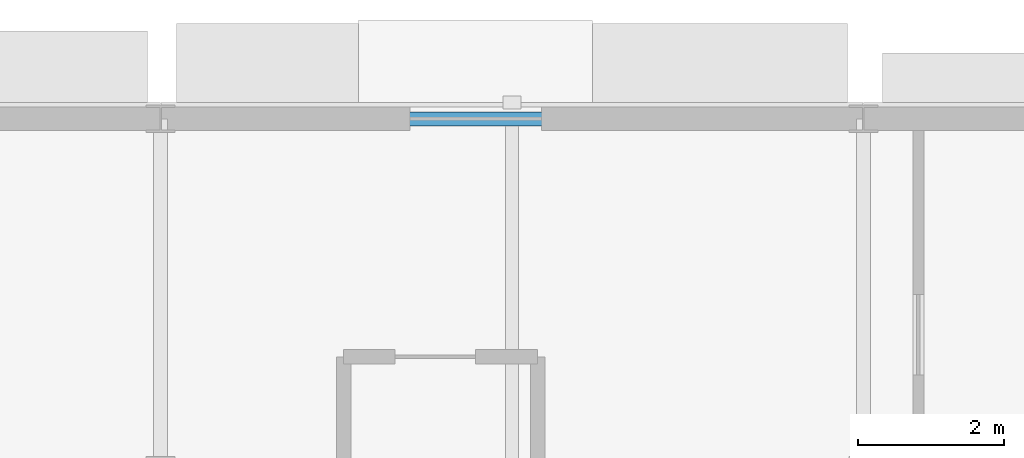
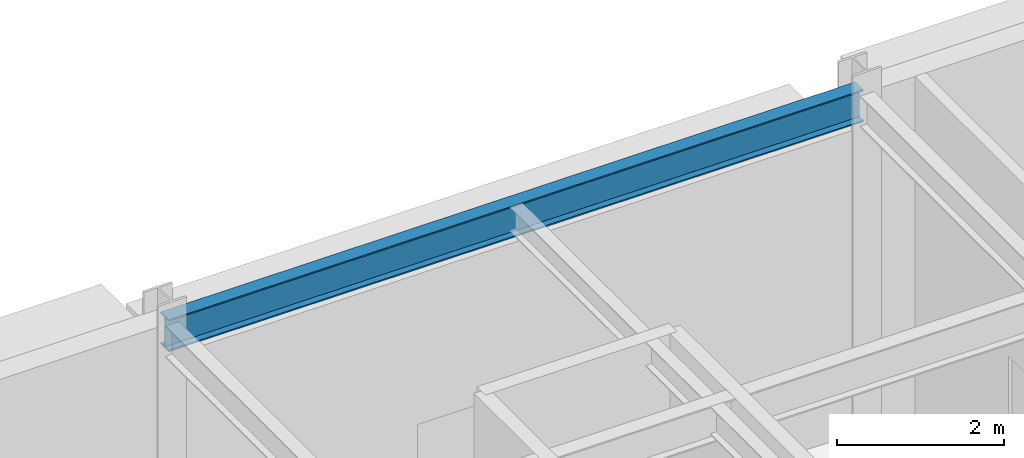
# One storey, part 77 of 168: 1 beam.
"""IFC4 building model written with IfcOpenShell, lengths in metres."""

from ifc_helpers import new_model, si_unit, direction, frame, origin, origin_2d, place, context, subcontext, project, spatial, i_section, extrude, material, material_profile, profile_set, type_object, element, save


model = new_model("IFC4")

# Units and contexts
model_context = context("Model", 3, precision=1e-05, world=origin(), true_north=direction((0.0, 1.0)))
body_context = subcontext(model_context, "Body", "Model", "MODEL_VIEW")
ifc_project = project(units=[si_unit("LENGTHUNIT", "METRE"), si_unit("AREAUNIT", "SQUARE_METRE"), si_unit("VOLUMEUNIT", "CUBIC_METRE"), si_unit("PLANEANGLEUNIT", "RADIAN"), si_unit("MASSUNIT", "GRAM", prefix="KILO")], contexts=[model_context])

# Site, building, storey
site_placement = place(None, origin())
site = spatial("IfcSite", under=ifc_project, at=site_placement, CompositionType="ELEMENT")
building_placement = place(site_placement, origin())
building = spatial("IfcBuilding", under=site, at=building_placement, Name="Almandine Court Research Institute", CompositionType="ELEMENT")
storey_placement = place(building_placement, origin())
storey = spatial("IfcBuildingStorey", under=building, at=storey_placement, Name="L00", CompositionType="ELEMENT", Elevation=0.0)

# Beam
ifc_material = material(Name="Steel ASTM A992 Grade 50", Category="steel")
ifc_material_profile = material_profile(ifc_material, i_section(OverallWidth=0.193115234375, OverallDepth=0.466064453125, WebThickness=0.010986328125, FlangeThickness=0.01904296875, at=origin_2d()), Name="W460x97")
ifc_profile_set = profile_set([ifc_material_profile], Name="Steel ASTM A992 Grade 50")
beam_type = type_object("IfcBeamType", Name="Beam-G-06-E", PredefinedType="SPANDREL", material=ifc_profile_set)
beam_placement = place(storey_placement, frame((15.60009765625, 117.60009765625, 4.697021484375), z_axis=(1.0, 0.0, 0.0), x_axis=(0.0, 1.0, 0.0)))
element("IfcBeam", 1, at=beam_placement, inside=storey, type_object=beam_type, Name="L00 V3 Primary X Girder", PredefinedType="SPANDREL", context=body_context, shape_type="SweptSolid", body=[
    extrude(i_section(OverallWidth=0.193115234375, OverallDepth=0.466064453125, WebThickness=0.010986328125, FlangeThickness=0.01904296875, at=origin_2d()), origin(), (0.0, 0.0, 1.0), 9.599853515625),
])

save(model, "model.ifc")
